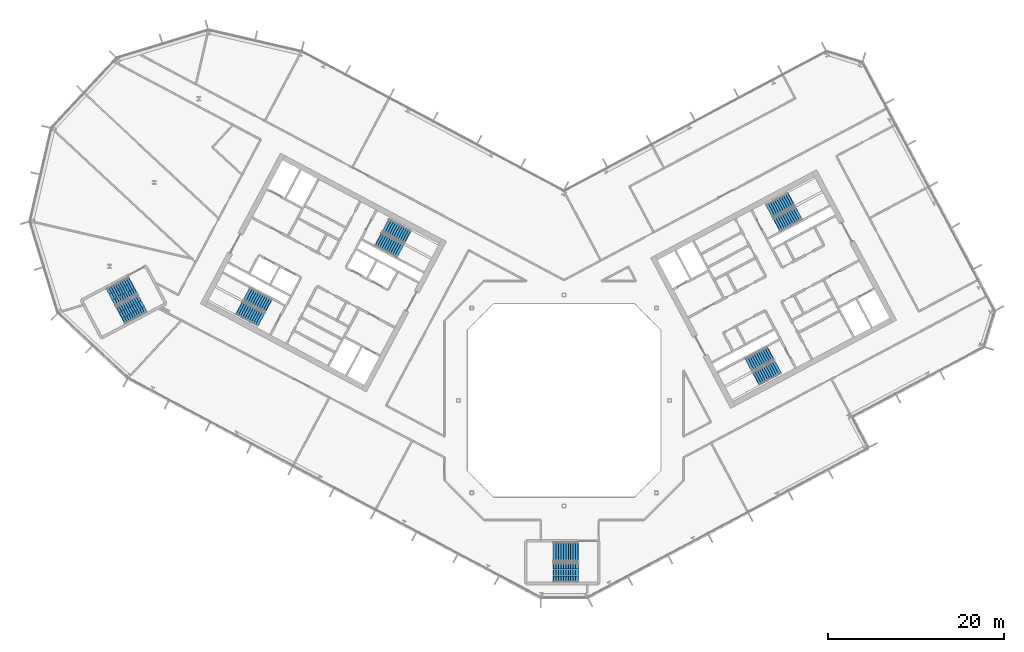
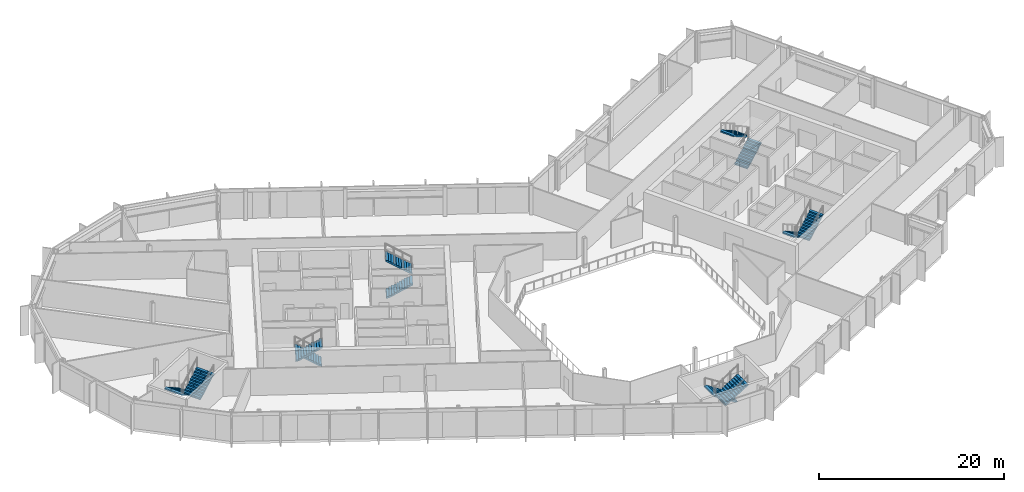
# One storey, part 18 of 27: 12 stair flights, 6 elements without a shape of their own.
"""IFC4 building model written with IfcOpenShell, lengths in metres."""

from ifc_helpers import new_model, si_unit, direction, frame, origin, place, context, subcontext, project, spatial, polyline, outline, extrude, material, type_object, element, aggregate, save


model = new_model("IFC4")

# Units and contexts
model_context = context("Model", 3, precision=1e-05, world=origin(), true_north=direction((0.0, 1.0)))
body_context = subcontext(model_context, "Body", "Model", "MODEL_VIEW")
ifc_project = project(units=[si_unit("LENGTHUNIT", "METRE"), si_unit("AREAUNIT", "SQUARE_METRE"), si_unit("VOLUMEUNIT", "CUBIC_METRE"), si_unit("PLANEANGLEUNIT", "RADIAN"), si_unit("MASSUNIT", "GRAM", prefix="KILO")], contexts=[model_context])

# Site, building, storey
site_placement = place(None, origin())
site = spatial("IfcSite", under=ifc_project, at=site_placement, CompositionType="ELEMENT")
building_placement = place(site_placement, origin())
building = spatial("IfcBuilding", under=site, at=building_placement, Name="Cormorant Relay Tower", CompositionType="ELEMENT")
storey_placement = place(building_placement, frame((0.0, 0.0, 216.89990234375)))
storey = spatial("IfcBuildingStorey", under=building, at=storey_placement, Name="L47", CompositionType="ELEMENT", Elevation=216.89990234375)

# Stair, stair flights
ifc_material_1 = material(Name="Concrete 40 MPa", Category="concrete")
stair_type_1 = type_object("IfcStairType", Name="Exit stair 1500", PredefinedType="HALF_TURN_STAIR", material=ifc_material_1)
stair_1_placement = place(storey_placement, origin())
stair_1 = element("IfcStair", 1, at=stair_1_placement, inside=storey, type_object=stair_type_1, Name="L47 Stair", PredefinedType="HALF_TURN_STAIR")
ifc_material_2 = material(Name="Concrete 40 MPa", Category="concrete")
stair_flight_type_1 = type_object("IfcStairFlightType", Name="Exit stair flight 1650", PredefinedType="STRAIGHT", material=ifc_material_2)
stair_flight_1_placement = place(storey_placement, frame((-21.114501953125, 18.33349609375, 0.0), z_axis=(0.0, 0.0, 1.0), x_axis=(0.882947592859, -0.469471562786, 0.0)))
stair_flight_1 = element("IfcStairFlight", 2, at=stair_flight_1_placement, type_object=stair_flight_type_1, Name="A1 flight 1", NumberOfRisers=11, NumberOfTreads=10, PredefinedType="STRAIGHT", RiserHeight=0.177272727, TreadLength=0.28, context=body_context, shape_type="SweptSolid", body=[
    extrude(outline(polyline([(-0.050048828125, -0.080078125), (-0.050048828125, 0.0), (0.0, 0.0), (0.0, 0.17724609375), (0.280029296875, 0.17724609375), (0.280029296875, 0.3544921875), (0.56005859375, 0.3544921875), (0.56005859375, 0.53173828125), (0.840087890625, 0.53173828125), (0.840087890625, 0.708984375), (1.1201171875, 0.708984375), (1.1201171875, 0.886474609375), (1.39990234375, 0.886474609375), (1.39990234375, 1.063720703125), (1.679931640625, 1.063720703125), (1.679931640625, 1.240966796875), (1.9599609375, 1.240966796875), (1.9599609375, 1.418212890625), (2.239990234375, 1.418212890625), (2.239990234375, 1.595458984375), (2.52001953125, 1.595458984375), (2.52001953125, 1.772705078125), (2.800048828125, 1.772705078125), (2.85009765625, 1.772705078125), (2.85009765625, 1.59521484375), (2.800048828125, 1.59521484375), (0.2802734375, 0.0), (-0.050048828125, -0.080078125)])), frame((0.0, 0.824951171875, 0.0), z_axis=(0.0, -1.0, 0.0), x_axis=(1.0, 0.0, 0.0)), (0.0, 0.0, 1.0), 1.64990234375),
])
stair_flight_2_placement = place(storey_placement, frame((-17.797119140625, 18.6083984375, 1.9501953125), z_axis=(0.0, 0.0, 1.0), x_axis=(-0.882947592859, 0.469471562786, 0.0)))
stair_flight_2 = element("IfcStairFlight", 3, at=stair_flight_2_placement, type_object=stair_flight_type_1, Name="A1 flight 2", NumberOfRisers=11, NumberOfTreads=10, PredefinedType="STRAIGHT", RiserHeight=0.177272727, TreadLength=0.28, context=body_context, shape_type="SweptSolid", body=[
    extrude(outline(polyline([(-0.050048828125, -0.080078125), (-0.050048828125, 0.0), (0.0, 0.0), (0.0, 0.17724609375), (0.280029296875, 0.17724609375), (0.280029296875, 0.3544921875), (0.56005859375, 0.3544921875), (0.56005859375, 0.53173828125), (0.840087890625, 0.53173828125), (0.840087890625, 0.708984375), (1.1201171875, 0.708984375), (1.1201171875, 0.886474609375), (1.39990234375, 0.886474609375), (1.39990234375, 1.063720703125), (1.679931640625, 1.063720703125), (1.679931640625, 1.240966796875), (1.9599609375, 1.240966796875), (1.9599609375, 1.418212890625), (2.239990234375, 1.418212890625), (2.239990234375, 1.595458984375), (2.52001953125, 1.595458984375), (2.52001953125, 1.772705078125), (2.800048828125, 1.772705078125), (2.85009765625, 1.772705078125), (2.85009765625, 1.59521484375), (2.800048828125, 1.59521484375), (0.2802734375, 0.0), (-0.050048828125, -0.080078125)])), frame((0.0, 0.824951171875, 0.0), z_axis=(0.0, -1.0, 0.0), x_axis=(1.0, 0.0, 0.0)), (0.0, 0.0, 1.0), 1.64990234375),
])
aggregate(stair_1, [stair_flight_1, stair_flight_2])

stair_2_placement = place(storey_placement, origin())
stair_2 = element("IfcStair", 4, at=stair_2_placement, inside=storey, type_object=stair_type_1, Name="L47 Stair", PredefinedType="HALF_TURN_STAIR")
stair_flight_3_placement = place(storey_placement, frame((-33.62841796875, 10.773681640625, 0.0), z_axis=(0.0, 0.0, 1.0), x_axis=(-0.882947592859, 0.469471562786, 0.0)))
stair_flight_3 = element("IfcStairFlight", 5, at=stair_flight_3_placement, type_object=stair_flight_type_1, Name="A2 flight 1", NumberOfRisers=11, NumberOfTreads=10, PredefinedType="STRAIGHT", RiserHeight=0.177272727, TreadLength=0.28, context=body_context, shape_type="SweptSolid", body=[
    extrude(outline(polyline([(-0.050048828125, -0.080078125), (-0.050048828125, 0.0), (0.0, 0.0), (0.0, 0.17724609375), (0.280029296875, 0.17724609375), (0.280029296875, 0.3544921875), (0.56005859375, 0.3544921875), (0.56005859375, 0.53173828125), (0.840087890625, 0.53173828125), (0.840087890625, 0.708984375), (1.1201171875, 0.708984375), (1.1201171875, 0.886474609375), (1.39990234375, 0.886474609375), (1.39990234375, 1.063720703125), (1.679931640625, 1.063720703125), (1.679931640625, 1.240966796875), (1.9599609375, 1.240966796875), (1.9599609375, 1.418212890625), (2.239990234375, 1.418212890625), (2.239990234375, 1.595458984375), (2.52001953125, 1.595458984375), (2.52001953125, 1.772705078125), (2.800048828125, 1.772705078125), (2.85009765625, 1.772705078125), (2.85009765625, 1.59521484375), (2.800048828125, 1.59521484375), (0.2802734375, 0.0), (-0.050048828125, -0.080078125)])), frame((0.0, 0.824951171875, 0.0), z_axis=(0.0, -1.0, 0.0), x_axis=(1.0, 0.0, 0.0)), (0.0, 0.0, 1.0), 1.64990234375),
])
stair_flight_4_placement = place(storey_placement, frame((-36.945556640625, 10.498779296875, 1.9501953125), z_axis=(0.0, 0.0, 1.0), x_axis=(0.882947592859, -0.469471562786, 0.0)))
stair_flight_4 = element("IfcStairFlight", 6, at=stair_flight_4_placement, type_object=stair_flight_type_1, Name="A2 flight 2", NumberOfRisers=11, NumberOfTreads=10, PredefinedType="STRAIGHT", RiserHeight=0.177272727, TreadLength=0.28, context=body_context, shape_type="SweptSolid", body=[
    extrude(outline(polyline([(-0.050048828125, -0.080078125), (-0.050048828125, 0.0), (0.0, 0.0), (0.0, 0.17724609375), (0.280029296875, 0.17724609375), (0.280029296875, 0.3544921875), (0.56005859375, 0.3544921875), (0.56005859375, 0.53173828125), (0.840087890625, 0.53173828125), (0.840087890625, 0.708984375), (1.1201171875, 0.708984375), (1.1201171875, 0.886474609375), (1.39990234375, 0.886474609375), (1.39990234375, 1.063720703125), (1.679931640625, 1.063720703125), (1.679931640625, 1.240966796875), (1.9599609375, 1.240966796875), (1.9599609375, 1.418212890625), (2.239990234375, 1.418212890625), (2.239990234375, 1.595458984375), (2.52001953125, 1.595458984375), (2.52001953125, 1.772705078125), (2.800048828125, 1.772705078125), (2.85009765625, 1.772705078125), (2.85009765625, 1.59521484375), (2.800048828125, 1.59521484375), (0.2802734375, 0.0), (-0.050048828125, -0.080078125)])), frame((0.0, 0.824951171875, 0.0), z_axis=(0.0, -1.0, 0.0), x_axis=(1.0, 0.0, 0.0)), (0.0, 0.0, 1.0), 1.64990234375),
])
aggregate(stair_2, [stair_flight_3, stair_flight_4])

stair_3_placement = place(storey_placement, origin())
stair_3 = element("IfcStair", 7, at=stair_3_placement, inside=storey, type_object=stair_type_1, Name="L47 Stair", PredefinedType="HALF_TURN_STAIR")
stair_flight_5_placement = place(storey_placement, frame((23.474365234375, 5.374755859375, 0.0), z_axis=(0.0, 0.0, 1.0), x_axis=(-0.882947592859, -0.469471562786, 0.0)))
stair_flight_5 = element("IfcStairFlight", 8, at=stair_flight_5_placement, type_object=stair_flight_type_1, Name="B1 flight 1", NumberOfRisers=11, NumberOfTreads=10, PredefinedType="STRAIGHT", RiserHeight=0.177272727, TreadLength=0.28, context=body_context, shape_type="SweptSolid", body=[
    extrude(outline(polyline([(-0.050048828125, -0.080078125), (-0.050048828125, 0.0), (0.0, 0.0), (0.0, 0.17724609375), (0.280029296875, 0.17724609375), (0.280029296875, 0.3544921875), (0.56005859375, 0.3544921875), (0.56005859375, 0.53173828125), (0.840087890625, 0.53173828125), (0.840087890625, 0.708984375), (1.1201171875, 0.708984375), (1.1201171875, 0.886474609375), (1.39990234375, 0.886474609375), (1.39990234375, 1.063720703125), (1.679931640625, 1.063720703125), (1.679931640625, 1.240966796875), (1.9599609375, 1.240966796875), (1.9599609375, 1.418212890625), (2.239990234375, 1.418212890625), (2.239990234375, 1.595458984375), (2.52001953125, 1.595458984375), (2.52001953125, 1.772705078125), (2.800048828125, 1.772705078125), (2.85009765625, 1.772705078125), (2.85009765625, 1.59521484375), (2.800048828125, 1.59521484375), (0.2802734375, 0.0), (-0.050048828125, -0.080078125)])), frame((0.0, 0.824951171875, 0.0), z_axis=(0.0, -1.0, 0.0), x_axis=(1.0, 0.0, 0.0)), (0.0, 0.0, 1.0), 1.64990234375),
])
stair_flight_6_placement = place(storey_placement, frame((21.84716796875, 2.470947265625, 1.9501953125), z_axis=(0.0, 0.0, 1.0), x_axis=(0.882947592859, 0.469471562786, 0.0)))
stair_flight_6 = element("IfcStairFlight", 9, at=stair_flight_6_placement, type_object=stair_flight_type_1, Name="B1 flight 2", NumberOfRisers=11, NumberOfTreads=10, PredefinedType="STRAIGHT", RiserHeight=0.177272727, TreadLength=0.28, context=body_context, shape_type="SweptSolid", body=[
    extrude(outline(polyline([(-0.050048828125, -0.080078125), (-0.050048828125, 0.0), (0.0, 0.0), (0.0, 0.17724609375), (0.280029296875, 0.17724609375), (0.280029296875, 0.3544921875), (0.56005859375, 0.3544921875), (0.56005859375, 0.53173828125), (0.840087890625, 0.53173828125), (0.840087890625, 0.708984375), (1.1201171875, 0.708984375), (1.1201171875, 0.886474609375), (1.39990234375, 0.886474609375), (1.39990234375, 1.063720703125), (1.679931640625, 1.063720703125), (1.679931640625, 1.240966796875), (1.9599609375, 1.240966796875), (1.9599609375, 1.418212890625), (2.239990234375, 1.418212890625), (2.239990234375, 1.595458984375), (2.52001953125, 1.595458984375), (2.52001953125, 1.772705078125), (2.800048828125, 1.772705078125), (2.85009765625, 1.772705078125), (2.85009765625, 1.59521484375), (2.800048828125, 1.59521484375), (0.2802734375, 0.0), (-0.050048828125, -0.080078125)])), frame((0.0, 0.824951171875, 0.0), z_axis=(0.0, -1.0, 0.0), x_axis=(1.0, 0.0, 0.0)), (0.0, 0.0, 1.0), 1.64990234375),
])
aggregate(stair_3, [stair_flight_5, stair_flight_6])

stair_4_placement = place(storey_placement, origin())
stair_4 = element("IfcStair", 10, at=stair_4_placement, inside=storey, type_object=stair_type_1, Name="L47 Stair", PredefinedType="HALF_TURN_STAIR")
stair_flight_7_placement = place(storey_placement, frame((24.20458984375, 19.976806640625, 0.0), z_axis=(0.0, 0.0, 1.0), x_axis=(0.882947592859, 0.469471562786, 0.0)))
stair_flight_7 = element("IfcStairFlight", 11, at=stair_flight_7_placement, type_object=stair_flight_type_1, Name="B2 flight 1", NumberOfRisers=11, NumberOfTreads=10, PredefinedType="STRAIGHT", RiserHeight=0.177272727, TreadLength=0.28, context=body_context, shape_type="SweptSolid", body=[
    extrude(outline(polyline([(-0.050048828125, -0.080078125), (-0.050048828125, 0.0), (0.0, 0.0), (0.0, 0.17724609375), (0.280029296875, 0.17724609375), (0.280029296875, 0.3544921875), (0.56005859375, 0.3544921875), (0.56005859375, 0.53173828125), (0.840087890625, 0.53173828125), (0.840087890625, 0.708984375), (1.1201171875, 0.708984375), (1.1201171875, 0.886474609375), (1.39990234375, 0.886474609375), (1.39990234375, 1.063720703125), (1.679931640625, 1.063720703125), (1.679931640625, 1.240966796875), (1.9599609375, 1.240966796875), (1.9599609375, 1.418212890625), (2.239990234375, 1.418212890625), (2.239990234375, 1.595458984375), (2.52001953125, 1.595458984375), (2.52001953125, 1.772705078125), (2.800048828125, 1.772705078125), (2.85009765625, 1.772705078125), (2.85009765625, 1.59521484375), (2.800048828125, 1.59521484375), (0.2802734375, 0.0), (-0.050048828125, -0.080078125)])), frame((0.0, 0.824951171875, 0.0), z_axis=(0.0, -1.0, 0.0), x_axis=(1.0, 0.0, 0.0)), (0.0, 0.0, 1.0), 1.64990234375),
])
stair_flight_8_placement = place(storey_placement, frame((25.831787109375, 22.880615234375, 1.9501953125), z_axis=(0.0, 0.0, 1.0), x_axis=(-0.882947592859, -0.469471562786, 0.0)))
stair_flight_8 = element("IfcStairFlight", 12, at=stair_flight_8_placement, type_object=stair_flight_type_1, Name="B2 flight 2", NumberOfRisers=11, NumberOfTreads=10, PredefinedType="STRAIGHT", RiserHeight=0.177272727, TreadLength=0.28, context=body_context, shape_type="SweptSolid", body=[
    extrude(outline(polyline([(-0.050048828125, -0.080078125), (-0.050048828125, 0.0), (0.0, 0.0), (0.0, 0.17724609375), (0.280029296875, 0.17724609375), (0.280029296875, 0.3544921875), (0.56005859375, 0.3544921875), (0.56005859375, 0.53173828125), (0.840087890625, 0.53173828125), (0.840087890625, 0.708984375), (1.1201171875, 0.708984375), (1.1201171875, 0.886474609375), (1.39990234375, 0.886474609375), (1.39990234375, 1.063720703125), (1.679931640625, 1.063720703125), (1.679931640625, 1.240966796875), (1.9599609375, 1.240966796875), (1.9599609375, 1.418212890625), (2.239990234375, 1.418212890625), (2.239990234375, 1.595458984375), (2.52001953125, 1.595458984375), (2.52001953125, 1.772705078125), (2.800048828125, 1.772705078125), (2.85009765625, 1.772705078125), (2.85009765625, 1.59521484375), (2.800048828125, 1.59521484375), (0.2802734375, 0.0), (-0.050048828125, -0.080078125)])), frame((0.0, 0.824951171875, 0.0), z_axis=(0.0, -1.0, 0.0), x_axis=(1.0, 0.0, 0.0)), (0.0, 0.0, 1.0), 1.64990234375),
])
aggregate(stair_4, [stair_flight_7, stair_flight_8])

ifc_material_3 = material(Name="Concrete 40 MPa", Category="concrete")
stair_type_2 = type_object("IfcStairType", Name="Remote exit stair 2200", PredefinedType="HALF_TURN_STAIR", material=ifc_material_3)
stair_5_placement = place(storey_placement, origin())
stair_5 = element("IfcStair", 13, at=stair_5_placement, inside=storey, type_object=stair_type_2, Name="L47 Stair", PredefinedType="HALF_TURN_STAIR")
ifc_material_4 = material(Name="Concrete 40 MPa", Category="concrete")
stair_flight_type_2 = type_object("IfcStairFlightType", Name="Remote exit stair flight 2200", PredefinedType="STRAIGHT", material=ifc_material_4)
stair_flight_9_placement = place(storey_placement, frame((1.60009765625, -17.22509765625, 0.0), z_axis=(0.0, 0.0, 1.0), x_axis=(-1.0, 0.0, 0.0)))
stair_flight_9 = element("IfcStairFlight", 14, at=stair_flight_9_placement, type_object=stair_flight_type_2, Name="RK1 flight 1", NumberOfRisers=11, NumberOfTreads=10, PredefinedType="STRAIGHT", RiserHeight=0.177272727, TreadLength=0.28, context=body_context, shape_type="SweptSolid", body=[
    extrude(outline(polyline([(-0.050048828125, -0.080078125), (-0.050048828125, 0.0), (0.0, 0.0), (0.0, 0.17724609375), (0.280029296875, 0.17724609375), (0.280029296875, 0.3544921875), (0.56005859375, 0.3544921875), (0.56005859375, 0.53173828125), (0.840087890625, 0.53173828125), (0.840087890625, 0.708984375), (1.1201171875, 0.708984375), (1.1201171875, 0.886474609375), (1.39990234375, 0.886474609375), (1.39990234375, 1.063720703125), (1.679931640625, 1.063720703125), (1.679931640625, 1.240966796875), (1.9599609375, 1.240966796875), (1.9599609375, 1.418212890625), (2.239990234375, 1.418212890625), (2.239990234375, 1.595458984375), (2.52001953125, 1.595458984375), (2.52001953125, 1.772705078125), (2.800048828125, 1.772705078125), (2.85009765625, 1.772705078125), (2.85009765625, 1.59521484375), (2.800048828125, 1.59521484375), (0.2802734375, 0.0), (-0.050048828125, -0.080078125)])), frame((0.0, 1.10009765625, 0.0), z_axis=(0.0, -1.0, 0.0), x_axis=(1.0, 0.0, 0.0)), (0.0, 0.0, 1.0), 0.719970703125),
    extrude(outline(polyline([(-0.050048828125, -0.080078125), (-0.050048828125, 0.0), (0.0, 0.0), (0.0, 0.17724609375), (0.280029296875, 0.17724609375), (0.280029296875, 0.3544921875), (0.56005859375, 0.3544921875), (0.56005859375, 0.53173828125), (0.840087890625, 0.53173828125), (0.840087890625, 0.708984375), (1.1201171875, 0.708984375), (1.1201171875, 0.886474609375), (1.39990234375, 0.886474609375), (1.39990234375, 1.063720703125), (1.679931640625, 1.063720703125), (1.679931640625, 1.240966796875), (1.9599609375, 1.240966796875), (1.9599609375, 1.418212890625), (2.239990234375, 1.418212890625), (2.239990234375, 1.595458984375), (2.52001953125, 1.595458984375), (2.52001953125, 1.772705078125), (2.800048828125, 1.772705078125), (2.85009765625, 1.772705078125), (2.85009765625, 1.59521484375), (2.800048828125, 1.59521484375), (0.2802734375, 0.0), (-0.050048828125, -0.080078125)])), frame((0.0, 0.360107421875, 0.0), z_axis=(0.0, -1.0, 0.0), x_axis=(1.0, 0.0, 0.0)), (0.0, 0.0, 1.0), 0.719970703125),
    extrude(outline(polyline([(-0.050048828125, -0.080078125), (-0.050048828125, 0.0), (0.0, 0.0), (0.0, 0.17724609375), (0.280029296875, 0.17724609375), (0.280029296875, 0.3544921875), (0.56005859375, 0.3544921875), (0.56005859375, 0.53173828125), (0.840087890625, 0.53173828125), (0.840087890625, 0.708984375), (1.1201171875, 0.708984375), (1.1201171875, 0.886474609375), (1.39990234375, 0.886474609375), (1.39990234375, 1.063720703125), (1.679931640625, 1.063720703125), (1.679931640625, 1.240966796875), (1.9599609375, 1.240966796875), (1.9599609375, 1.418212890625), (2.239990234375, 1.418212890625), (2.239990234375, 1.595458984375), (2.52001953125, 1.595458984375), (2.52001953125, 1.772705078125), (2.800048828125, 1.772705078125), (2.85009765625, 1.772705078125), (2.85009765625, 1.59521484375), (2.800048828125, 1.59521484375), (0.2802734375, 0.0), (-0.050048828125, -0.080078125)])), frame((0.0, -0.3798828125, 0.0), z_axis=(0.0, -1.0, 0.0), x_axis=(1.0, 0.0, 0.0)), (0.0, 0.0, 1.0), 0.719970703125),
])
stair_flight_10_placement = place(storey_placement, frame((-1.199951171875, -19.574951171875, 1.9501953125), z_axis=(0.0, 0.0, 1.0), x_axis=(1.0, 0.0, 0.0)))
stair_flight_10 = element("IfcStairFlight", 15, at=stair_flight_10_placement, type_object=stair_flight_type_2, Name="RK1 flight 2", NumberOfRisers=11, NumberOfTreads=10, PredefinedType="STRAIGHT", RiserHeight=0.177272727, TreadLength=0.28, context=body_context, shape_type="SweptSolid", body=[
    extrude(outline(polyline([(-0.050048828125, -0.080078125), (-0.050048828125, 0.0), (0.0, 0.0), (0.0, 0.17724609375), (0.280029296875, 0.17724609375), (0.280029296875, 0.3544921875), (0.56005859375, 0.3544921875), (0.56005859375, 0.53173828125), (0.840087890625, 0.53173828125), (0.840087890625, 0.708984375), (1.1201171875, 0.708984375), (1.1201171875, 0.886474609375), (1.39990234375, 0.886474609375), (1.39990234375, 1.063720703125), (1.679931640625, 1.063720703125), (1.679931640625, 1.240966796875), (1.9599609375, 1.240966796875), (1.9599609375, 1.418212890625), (2.239990234375, 1.418212890625), (2.239990234375, 1.595458984375), (2.52001953125, 1.595458984375), (2.52001953125, 1.772705078125), (2.800048828125, 1.772705078125), (2.85009765625, 1.772705078125), (2.85009765625, 1.59521484375), (2.800048828125, 1.59521484375), (0.2802734375, 0.0), (-0.050048828125, -0.080078125)])), frame((0.0, 1.10009765625, 0.0), z_axis=(0.0, -1.0, 0.0), x_axis=(1.0, 0.0, 0.0)), (0.0, 0.0, 1.0), 0.719970703125),
    extrude(outline(polyline([(-0.050048828125, -0.080078125), (-0.050048828125, 0.0), (0.0, 0.0), (0.0, 0.17724609375), (0.280029296875, 0.17724609375), (0.280029296875, 0.3544921875), (0.56005859375, 0.3544921875), (0.56005859375, 0.53173828125), (0.840087890625, 0.53173828125), (0.840087890625, 0.708984375), (1.1201171875, 0.708984375), (1.1201171875, 0.886474609375), (1.39990234375, 0.886474609375), (1.39990234375, 1.063720703125), (1.679931640625, 1.063720703125), (1.679931640625, 1.240966796875), (1.9599609375, 1.240966796875), (1.9599609375, 1.418212890625), (2.239990234375, 1.418212890625), (2.239990234375, 1.595458984375), (2.52001953125, 1.595458984375), (2.52001953125, 1.772705078125), (2.800048828125, 1.772705078125), (2.85009765625, 1.772705078125), (2.85009765625, 1.59521484375), (2.800048828125, 1.59521484375), (0.2802734375, 0.0), (-0.050048828125, -0.080078125)])), frame((0.0, 0.360107421875, 0.0), z_axis=(0.0, -1.0, 0.0), x_axis=(1.0, 0.0, 0.0)), (0.0, 0.0, 1.0), 0.719970703125),
    extrude(outline(polyline([(-0.050048828125, -0.080078125), (-0.050048828125, 0.0), (0.0, 0.0), (0.0, 0.17724609375), (0.280029296875, 0.17724609375), (0.280029296875, 0.3544921875), (0.56005859375, 0.3544921875), (0.56005859375, 0.53173828125), (0.840087890625, 0.53173828125), (0.840087890625, 0.708984375), (1.1201171875, 0.708984375), (1.1201171875, 0.886474609375), (1.39990234375, 0.886474609375), (1.39990234375, 1.063720703125), (1.679931640625, 1.063720703125), (1.679931640625, 1.240966796875), (1.9599609375, 1.240966796875), (1.9599609375, 1.418212890625), (2.239990234375, 1.418212890625), (2.239990234375, 1.595458984375), (2.52001953125, 1.595458984375), (2.52001953125, 1.772705078125), (2.800048828125, 1.772705078125), (2.85009765625, 1.772705078125), (2.85009765625, 1.59521484375), (2.800048828125, 1.59521484375), (0.2802734375, 0.0), (-0.050048828125, -0.080078125)])), frame((0.0, -0.3798828125, 0.0), z_axis=(0.0, -1.0, 0.0), x_axis=(1.0, 0.0, 0.0)), (0.0, 0.0, 1.0), 0.719970703125),
])
aggregate(stair_5, [stair_flight_9, stair_flight_10])

stair_6_placement = place(storey_placement, origin())
stair_6 = element("IfcStair", 16, at=stair_6_placement, inside=storey, type_object=stair_type_2, Name="L47 Stair", PredefinedType="HALF_TURN_STAIR")
stair_flight_11_placement = place(storey_placement, frame((-49.062255859375, 13.08251953125, 0.0), z_axis=(0.0, 0.0, 1.0), x_axis=(-0.882947502727, -0.4694717323, 0.0)))
stair_flight_11 = element("IfcStairFlight", 17, at=stair_flight_11_placement, type_object=stair_flight_type_2, Name="RP1 flight 1", NumberOfRisers=11, NumberOfTreads=10, PredefinedType="STRAIGHT", RiserHeight=0.177272727, TreadLength=0.28, context=body_context, shape_type="SweptSolid", body=[
    extrude(outline(polyline([(-0.050048828125, -0.080078125), (-0.050048828125, 0.0), (0.0, 0.0), (0.0, 0.17724609375), (0.280029296875, 0.17724609375), (0.280029296875, 0.3544921875), (0.56005859375, 0.3544921875), (0.56005859375, 0.53173828125), (0.840087890625, 0.53173828125), (0.840087890625, 0.708984375), (1.1201171875, 0.708984375), (1.1201171875, 0.886474609375), (1.39990234375, 0.886474609375), (1.39990234375, 1.063720703125), (1.679931640625, 1.063720703125), (1.679931640625, 1.240966796875), (1.9599609375, 1.240966796875), (1.9599609375, 1.418212890625), (2.239990234375, 1.418212890625), (2.239990234375, 1.595458984375), (2.52001953125, 1.595458984375), (2.52001953125, 1.772705078125), (2.800048828125, 1.772705078125), (2.85009765625, 1.772705078125), (2.85009765625, 1.59521484375), (2.800048828125, 1.59521484375), (0.2802734375, 0.0), (-0.050048828125, -0.080078125)])), frame((0.0, 1.10009765625, 0.0), z_axis=(0.0, -1.0, 0.0), x_axis=(1.0, 0.0, 0.0)), (0.0, 0.0, 1.0), 0.719970703125),
    extrude(outline(polyline([(-0.050048828125, -0.080078125), (-0.050048828125, 0.0), (0.0, 0.0), (0.0, 0.17724609375), (0.280029296875, 0.17724609375), (0.280029296875, 0.3544921875), (0.56005859375, 0.3544921875), (0.56005859375, 0.53173828125), (0.840087890625, 0.53173828125), (0.840087890625, 0.708984375), (1.1201171875, 0.708984375), (1.1201171875, 0.886474609375), (1.39990234375, 0.886474609375), (1.39990234375, 1.063720703125), (1.679931640625, 1.063720703125), (1.679931640625, 1.240966796875), (1.9599609375, 1.240966796875), (1.9599609375, 1.418212890625), (2.239990234375, 1.418212890625), (2.239990234375, 1.595458984375), (2.52001953125, 1.595458984375), (2.52001953125, 1.772705078125), (2.800048828125, 1.772705078125), (2.85009765625, 1.772705078125), (2.85009765625, 1.59521484375), (2.800048828125, 1.59521484375), (0.2802734375, 0.0), (-0.050048828125, -0.080078125)])), frame((0.0, 0.360107421875, 0.0), z_axis=(0.0, -1.0, 0.0), x_axis=(1.0, 0.0, 0.0)), (0.0, 0.0, 1.0), 0.719970703125),
    extrude(outline(polyline([(-0.050048828125, -0.080078125), (-0.050048828125, 0.0), (0.0, 0.0), (0.0, 0.17724609375), (0.280029296875, 0.17724609375), (0.280029296875, 0.3544921875), (0.56005859375, 0.3544921875), (0.56005859375, 0.53173828125), (0.840087890625, 0.53173828125), (0.840087890625, 0.708984375), (1.1201171875, 0.708984375), (1.1201171875, 0.886474609375), (1.39990234375, 0.886474609375), (1.39990234375, 1.063720703125), (1.679931640625, 1.063720703125), (1.679931640625, 1.240966796875), (1.9599609375, 1.240966796875), (1.9599609375, 1.418212890625), (2.239990234375, 1.418212890625), (2.239990234375, 1.595458984375), (2.52001953125, 1.595458984375), (2.52001953125, 1.772705078125), (2.800048828125, 1.772705078125), (2.85009765625, 1.772705078125), (2.85009765625, 1.59521484375), (2.800048828125, 1.59521484375), (0.2802734375, 0.0), (-0.050048828125, -0.080078125)])), frame((0.0, -0.3798828125, 0.0), z_axis=(0.0, -1.0, 0.0), x_axis=(1.0, 0.0, 0.0)), (0.0, 0.0, 1.0), 0.719970703125),
])
stair_flight_12_placement = place(storey_placement, frame((-50.431396484375, 9.693115234375, 1.9501953125), z_axis=(0.0, 0.0, 1.0), x_axis=(0.882947502727, 0.4694717323, 0.0)))
stair_flight_12 = element("IfcStairFlight", 18, at=stair_flight_12_placement, type_object=stair_flight_type_2, Name="RP1 flight 2", NumberOfRisers=11, NumberOfTreads=10, PredefinedType="STRAIGHT", RiserHeight=0.177272727, TreadLength=0.28, context=body_context, shape_type="SweptSolid", body=[
    extrude(outline(polyline([(-0.050048828125, -0.080078125), (-0.050048828125, 0.0), (0.0, 0.0), (0.0, 0.17724609375), (0.280029296875, 0.17724609375), (0.280029296875, 0.3544921875), (0.56005859375, 0.3544921875), (0.56005859375, 0.53173828125), (0.840087890625, 0.53173828125), (0.840087890625, 0.708984375), (1.1201171875, 0.708984375), (1.1201171875, 0.886474609375), (1.39990234375, 0.886474609375), (1.39990234375, 1.063720703125), (1.679931640625, 1.063720703125), (1.679931640625, 1.240966796875), (1.9599609375, 1.240966796875), (1.9599609375, 1.418212890625), (2.239990234375, 1.418212890625), (2.239990234375, 1.595458984375), (2.52001953125, 1.595458984375), (2.52001953125, 1.772705078125), (2.800048828125, 1.772705078125), (2.85009765625, 1.772705078125), (2.85009765625, 1.59521484375), (2.800048828125, 1.59521484375), (0.2802734375, 0.0), (-0.050048828125, -0.080078125)])), frame((0.0, 1.10009765625, 0.0), z_axis=(0.0, -1.0, 0.0), x_axis=(1.0, 0.0, 0.0)), (0.0, 0.0, 1.0), 0.719970703125),
    extrude(outline(polyline([(-0.050048828125, -0.080078125), (-0.050048828125, 0.0), (0.0, 0.0), (0.0, 0.17724609375), (0.280029296875, 0.17724609375), (0.280029296875, 0.3544921875), (0.56005859375, 0.3544921875), (0.56005859375, 0.53173828125), (0.840087890625, 0.53173828125), (0.840087890625, 0.708984375), (1.1201171875, 0.708984375), (1.1201171875, 0.886474609375), (1.39990234375, 0.886474609375), (1.39990234375, 1.063720703125), (1.679931640625, 1.063720703125), (1.679931640625, 1.240966796875), (1.9599609375, 1.240966796875), (1.9599609375, 1.418212890625), (2.239990234375, 1.418212890625), (2.239990234375, 1.595458984375), (2.52001953125, 1.595458984375), (2.52001953125, 1.772705078125), (2.800048828125, 1.772705078125), (2.85009765625, 1.772705078125), (2.85009765625, 1.59521484375), (2.800048828125, 1.59521484375), (0.2802734375, 0.0), (-0.050048828125, -0.080078125)])), frame((0.0, 0.360107421875, 0.0), z_axis=(0.0, -1.0, 0.0), x_axis=(1.0, 0.0, 0.0)), (0.0, 0.0, 1.0), 0.719970703125),
    extrude(outline(polyline([(-0.050048828125, -0.080078125), (-0.050048828125, 0.0), (0.0, 0.0), (0.0, 0.17724609375), (0.280029296875, 0.17724609375), (0.280029296875, 0.3544921875), (0.56005859375, 0.3544921875), (0.56005859375, 0.53173828125), (0.840087890625, 0.53173828125), (0.840087890625, 0.708984375), (1.1201171875, 0.708984375), (1.1201171875, 0.886474609375), (1.39990234375, 0.886474609375), (1.39990234375, 1.063720703125), (1.679931640625, 1.063720703125), (1.679931640625, 1.240966796875), (1.9599609375, 1.240966796875), (1.9599609375, 1.418212890625), (2.239990234375, 1.418212890625), (2.239990234375, 1.595458984375), (2.52001953125, 1.595458984375), (2.52001953125, 1.772705078125), (2.800048828125, 1.772705078125), (2.85009765625, 1.772705078125), (2.85009765625, 1.59521484375), (2.800048828125, 1.59521484375), (0.2802734375, 0.0), (-0.050048828125, -0.080078125)])), frame((0.0, -0.3798828125, 0.0), z_axis=(0.0, -1.0, 0.0), x_axis=(1.0, 0.0, 0.0)), (0.0, 0.0, 1.0), 0.719970703125),
])
aggregate(stair_6, [stair_flight_11, stair_flight_12])

save(model, "model.ifc")
